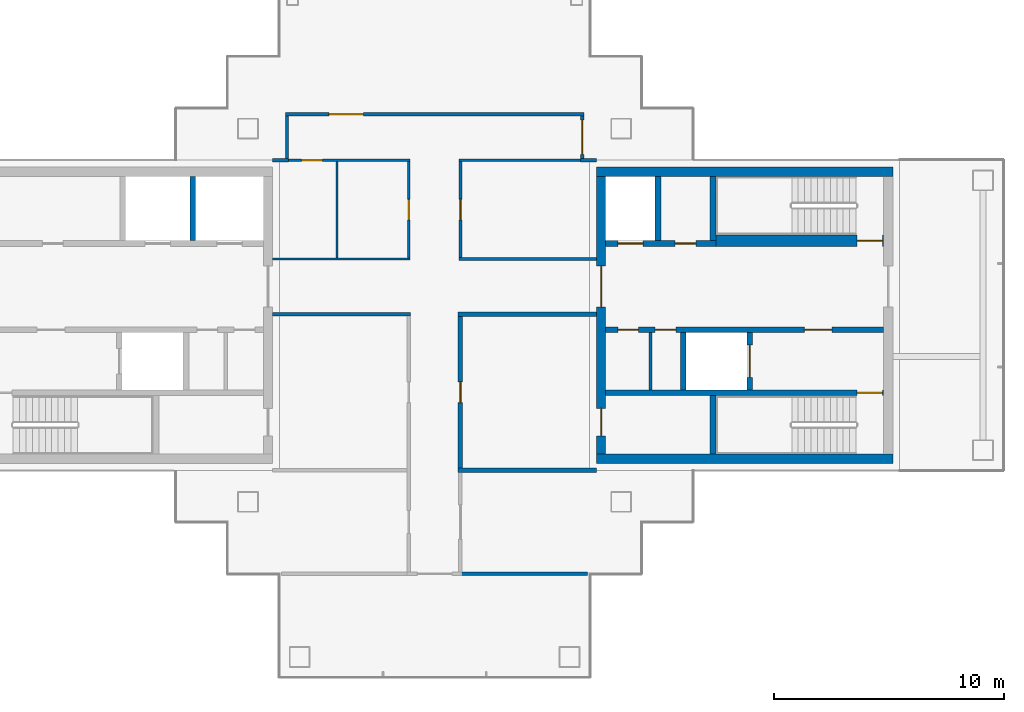
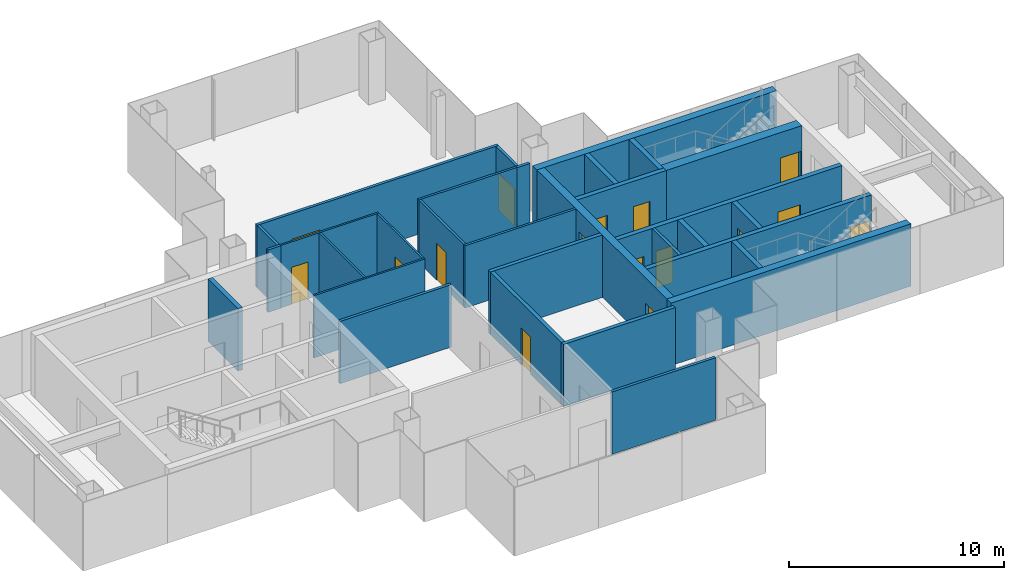
# One storey, part 12 of 16: 31 walls, 16 doors, 16 openings.
"""IFC4 building model written with IfcOpenShell, lengths in metres."""

from ifc_helpers import new_model, si_unit, direction, frame, frame_2d, origin, place, context, subcontext, project, spatial, rectangle, extrude, material, layer, layer_set, type_object, element, fill, save


model = new_model("IFC4")

# Units and contexts
model_context = context("Model", 3, precision=1e-05, world=origin(), true_north=direction((0.0, 1.0)))
body_context = subcontext(model_context, "Body", "Model", "MODEL_VIEW")
ifc_project = project(units=[si_unit("LENGTHUNIT", "METRE"), si_unit("AREAUNIT", "SQUARE_METRE"), si_unit("VOLUMEUNIT", "CUBIC_METRE"), si_unit("PLANEANGLEUNIT", "RADIAN"), si_unit("MASSUNIT", "GRAM", prefix="KILO")], contexts=[model_context])

# Site, building, storey
site_placement = place(None, origin())
site = spatial("IfcSite", under=ifc_project, at=site_placement, CompositionType="ELEMENT")
building_placement = place(site_placement, origin())
building = spatial("IfcBuilding", under=site, at=building_placement, Name="Shamsa Quay Exchange Towers", CompositionType="ELEMENT")
storey_placement = place(building_placement, frame((0.0, 0.0, 265.5)))
storey = spatial("IfcBuildingStorey", under=building, at=storey_placement, Name="L64", CompositionType="ELEMENT", Elevation=265.5)

# Walls
ifc_material_1 = material(Name="Concrete C60/75", Category="concrete")
ifc_layer_1 = layer(ifc_material_1, 0.39990234375)
ifc_layer_set_1 = layer_set([ifc_layer_1], Name="CORE WALL 400 C60/75")
wall_type_1 = type_object("IfcWallType", Name="CORE WALL 400 C60/75", PredefinedType="SHEAR", material=ifc_layer_set_1)
for number, where, z_axis, x_axis, name in (
    (1, (53.699951171875, -6.25, 0.0), (0.0, 0.0, 1.0), (-1.0, 0.0, 0.0), "Core wall T2B-R29-PS"),
    (2, (53.699951171875, 6.25, 0.0), (0.0, 0.0, 1.0), (-1.0, 0.0, 0.0), "Core wall T2B-R29-PN"),
):
    element("IfcWall", number, at=place(storey_placement, frame(where, z_axis=z_axis, x_axis=x_axis)), inside=storey, type_object=wall_type_1, Name=name, PredefinedType="SHEAR", context=body_context, shape_type="SweptSolid", body=[
        extrude(rectangle(XDim=12.89990234375, YDim=0.39990234375, at=frame_2d((6.449951171875, 0.0))), origin(), (0.0, 0.0, 1.0), 3.550048828125),
    ])

# Wall, openings, doors
wall_1_placement = place(storey_placement, frame((41.0, -6.050048828125, 0.0), z_axis=(0.0, 0.0, 1.0), x_axis=(0.0, 1.0, 0.0)))
wall_1 = element("IfcWall", 3, at=wall_1_placement, inside=storey, type_object=wall_type_1, Name="Core wall T2B-R29-PB", PredefinedType="SHEAR", context=body_context, shape_type="SweptSolid", body=[
    extrude(rectangle(XDim=12.10009765625, YDim=0.39990234375, at=frame_2d((6.050048828125, 0.0))), origin(), (0.0, 0.0, 1.0), 3.550048828125),
])
opening_1_placement = place(wall_1_placement, frame((0.800048828125, 0.0, 0.0)))
opening_1 = element("IfcOpeningElement", 4, at=opening_1_placement, cuts=wall_1, Name="Opening T2B-R29-RD02", PredefinedType="OPENING", context=body_context, shape_type="SweptSolid", body=[
    extrude(rectangle(XDim=1.199951171875, YDim=2.10009765625, at=frame_2d((0.60009765625, 1.050048828125))), frame((0.0, 0.2099609375, 0.0), z_axis=(0.0, -1.0, 0.0), x_axis=(1.0, 0.0, 0.0)), (0.0, 0.0, 1.0), 0.419921875),
])
opening_2_placement = place(wall_1_placement, frame((6.39990234375, 0.0, 0.0)))
opening_2 = element("IfcOpeningElement", 5, at=opening_2_placement, cuts=wall_1, Name="Opening T2B-R29-LBD03", PredefinedType="OPENING", context=body_context, shape_type="SweptSolid", body=[
    extrude(rectangle(XDim=1.800048828125, YDim=2.39990234375, at=frame_2d((0.89990234375, 1.199951171875))), frame((0.0, 0.2099609375, 0.0), z_axis=(0.0, -1.0, 0.0), x_axis=(1.0, 0.0, 0.0)), (0.0, 0.0, 1.0), 0.419921875),
])
ifc_material_2 = material(Name="Steel, fire rated", Category="steel")
door_type_1 = type_object("IfcDoorType", Name="LIFT LOBBY DOOR PAIR 1800", OperationType="DOUBLE_DOOR_SINGLE_SWING", PredefinedType="DOOR", material=ifc_material_2)
door_1_placement = place(opening_2_placement, origin())
door_1 = element("IfcDoor", 6, at=door_1_placement, inside=storey, type_object=door_type_1, Name="T2B-R29-LBD03", OperationType="DOUBLE_DOOR_SINGLE_SWING", OverallHeight=2.39990234375, OverallWidth=1.800048828125, PredefinedType="DOOR", context=body_context, shape_type="SweptSolid", body=[
    extrude(rectangle(XDim=1.800048828125, YDim=2.39990234375, at=frame_2d((0.89990234375, 1.199951171875))), frame((0.0, 0.02490234375, 0.0), z_axis=(0.0, -1.0, 0.0), x_axis=(1.0, 0.0, 0.0)), (0.0, 0.0, 1.0), 0.050048828125),
])
fill(opening_2, door_1)
door_type_2 = type_object("IfcDoorType", Name="RISER ACCESS DOOR 1200", OperationType="SINGLE_SWING_LEFT", PredefinedType="DOOR", material=ifc_material_2)
door_2_placement = place(opening_1_placement, origin())
door_2 = element("IfcDoor", 7, at=door_2_placement, inside=storey, type_object=door_type_2, Name="T2B-R29-RD02", OperationType="SINGLE_SWING_LEFT", OverallHeight=2.10009765625, OverallWidth=1.199951171875, PredefinedType="DOOR", context=body_context, shape_type="SweptSolid", body=[
    extrude(rectangle(XDim=1.199951171875, YDim=2.10009765625, at=frame_2d((0.60009765625, 1.050048828125))), frame((0.0, 0.02490234375, 0.0), z_axis=(0.0, -1.0, 0.0), x_axis=(1.0, 0.0, 0.0)), (0.0, 0.0, 1.0), 0.050048828125),
])
fill(opening_1, door_2)

# Walls
ifc_material_3 = material(Name="Gypsum board on steel studs, EI 60", Category="steel")
ifc_layer_2 = layer(ifc_material_3, 0.14990234375)
ifc_layer_set_2 = layer_set([ifc_layer_2], Name="FIRE PARTITION 150")
wall_type_2 = type_object("IfcWallType", Name="FIRE PARTITION 150", PredefinedType="PARTITIONING", material=ifc_layer_set_2)
wall_2_placement = place(storey_placement, frame((43.14990234375, -3.25, 0.0), z_axis=(0.0, 0.0, 1.0), x_axis=(0.0, 1.0, 0.0)))
element("IfcWall", 8, at=wall_2_placement, inside=storey, type_object=wall_type_2, Name="Partition T2B-R29-EC0", PredefinedType="PARTITIONING", context=body_context, shape_type="SweptSolid", body=[
    extrude(rectangle(XDim=2.5, YDim=0.14990234375, at=frame_2d((1.25, 0.0))), origin(), (0.0, 0.0, 1.0), 3.550048828125),
])
ifc_material_4 = material(Name="Laminated fire-resisting glass in a metal frame", Category="glass")
ifc_layer_3 = layer(ifc_material_4, 0.125)
ifc_layer_set_3 = layer_set([ifc_layer_3], Name="Glazed partition 125 mm EI 60")
wall_type_3 = type_object("IfcWallType", Name="Glazed partition 125 mm EI 60", PredefinedType="PARTITIONING", material=ifc_layer_set_3)
wall_3_placement = place(storey_placement, frame((34.8125, 2.4501953125, 0.0)))
element("IfcWall", 9, at=wall_3_placement, inside=storey, type_object=wall_type_3, Name="Partition T2-R29-W06", PredefinedType="PARTITIONING", context=body_context, shape_type="SweptSolid", body=[
    extrude(rectangle(XDim=5.987548828125, YDim=0.125, at=frame_2d((2.99365234375, 0.0))), origin(), (0.0, 0.0, 1.0), 3.550048828125),
])

# Wall, opening, door
wall_4_placement = place(storey_placement, frame((34.875, 6.6875, 0.0), z_axis=(0.0, 0.0, 1.0), x_axis=(0.0, -1.0, 0.0)))
wall_4 = element("IfcWall", 10, at=wall_4_placement, inside=storey, type_object=wall_type_3, Name="Partition T2-R29-W07", PredefinedType="PARTITIONING", context=body_context, shape_type="SweptSolid", body=[
    extrude(rectangle(XDim=4.1748046875, YDim=0.125, at=frame_2d((2.08740234375, 0.0))), origin(), (0.0, 0.0, 1.0), 3.550048828125),
])
opening_3_placement = place(wall_4_placement, frame((1.637451171875, 0.0, 0.0)))
opening_3 = element("IfcOpeningElement", 11, at=opening_3_placement, cuts=wall_4, Name="Opening T2-R29-D04", PredefinedType="OPENING", context=body_context, shape_type="SweptSolid", body=[
    extrude(rectangle(XDim=0.89990234375, YDim=2.10009765625, at=frame_2d((0.449951171875, 1.050048828125))), frame((0.0, 0.072509765625, 0.0), z_axis=(0.0, -1.0, 0.0), x_axis=(1.0, 0.0, 0.0)), (0.0, 0.0, 1.0), 0.14501953125),
])
ifc_material_5 = material(Name="Timber door leaf in a metal frame", Category="wood")
door_type_3 = type_object("IfcDoorType", Name="Door 900x2100 FD30S", OperationType="NOTDEFINED", PredefinedType="DOOR", material=ifc_material_5)
door_3_placement = place(opening_3_placement, origin())
door_3 = element("IfcDoor", 12, at=door_3_placement, inside=storey, type_object=door_type_3, Name="Door T2-R29-D04", OperationType="SINGLE_SWING_RIGHT", OverallHeight=2.10009765625, OverallWidth=0.89990234375, PredefinedType="DOOR", context=body_context, shape_type="SweptSolid", body=[
    extrude(rectangle(XDim=0.89990234375, YDim=2.10009765625, at=frame_2d((0.449951171875, 1.050048828125))), frame((0.0, 0.02490234375, 0.0), z_axis=(0.0, -1.0, 0.0), x_axis=(1.0, 0.0, 0.0)), (0.0, 0.0, 1.0), 0.050048828125),
])
fill(opening_3, door_3)

# Wall
wall_5_placement = place(storey_placement, frame((40.249755859375, 6.75, 0.0), z_axis=(0.0, 0.0, 1.0), x_axis=(-1.0, 0.0, 0.0)))
element("IfcWall", 13, at=wall_5_placement, inside=storey, type_object=wall_type_3, Name="Partition T2-R29-W08", PredefinedType="PARTITIONING", context=body_context, shape_type="SweptSolid", body=[
    extrude(rectangle(XDim=5.437255859375, YDim=0.125, at=frame_2d((2.71875, 0.0))), origin(), (0.0, 0.0, 1.0), 3.550048828125),
])

# Wall, opening, door
ifc_material_6 = material(Name="Gypsum board partition on metal studs")
ifc_layer_4 = layer(ifc_material_6, 0.10009765625)
ifc_layer_set_4 = layer_set([ifc_layer_4], Name="Partition 100 mm NOT RATED")
wall_type_4 = type_object("IfcWallType", Name="Partition 100 mm NOT RATED", PredefinedType="PARTITIONING", material=ifc_layer_set_4)
wall_6_placement = place(storey_placement, frame((32.675048828125, 6.75, 0.0), z_axis=(0.0, 0.0, 1.0), x_axis=(-1.0, 0.0, 0.0)))
wall_6 = element("IfcWall", 14, at=wall_6_placement, inside=storey, type_object=wall_type_4, Name="Partition T2-R29-W01", PredefinedType="PARTITIONING", context=body_context, shape_type="SweptSolid", body=[
    extrude(rectangle(XDim=5.4248046875, YDim=0.10009765625, at=frame_2d((2.71240234375, 0.0))), origin(), (0.0, 0.0, 1.0), 3.550048828125),
])
opening_4_placement = place(wall_6_placement, frame((3.8125, 0.0, 0.0)))
opening_4 = element("IfcOpeningElement", 15, at=opening_4_placement, cuts=wall_6, Name="Opening T2-R29-D09", PredefinedType="OPENING", context=body_context, shape_type="SweptSolid", body=[
    extrude(rectangle(XDim=0.89990234375, YDim=2.10009765625, at=frame_2d((0.449951171875, 1.050048828125))), frame((0.0, 0.06005859375, 0.0), z_axis=(0.0, -1.0, 0.0), x_axis=(1.0, 0.0, 0.0)), (0.0, 0.0, 1.0), 0.1201171875),
])
door_type_4 = type_object("IfcDoorType", Name="Door 900x2100 NOT RATED", OperationType="NOTDEFINED", PredefinedType="DOOR", material=ifc_material_5)
door_4_placement = place(opening_4_placement, origin())
door_4 = element("IfcDoor", 16, at=door_4_placement, inside=storey, type_object=door_type_4, Name="Door T2-R29-D09", OperationType="SINGLE_SWING_LEFT", OverallHeight=2.10009765625, OverallWidth=0.89990234375, PredefinedType="DOOR", context=body_context, shape_type="SweptSolid", body=[
    extrude(rectangle(XDim=0.89990234375, YDim=2.10009765625, at=frame_2d((0.449951171875, 1.050048828125))), frame((0.0, 0.02490234375, 0.0), z_axis=(0.0, -1.0, 0.0), x_axis=(1.0, 0.0, 0.0)), (0.0, 0.0, 1.0), 0.050048828125),
])
fill(opening_4, door_4)

wall_7_placement = place(storey_placement, frame((32.625, 2.500244140625, 0.0), z_axis=(0.0, 0.0, 1.0), x_axis=(0.0, 1.0, 0.0)))
wall_7 = element("IfcWall", 17, at=wall_7_placement, inside=storey, type_object=wall_type_4, Name="Partition T2-R29-W02", PredefinedType="PARTITIONING", context=body_context, shape_type="SweptSolid", body=[
    extrude(rectangle(XDim=4.19970703125, YDim=0.10009765625, at=frame_2d((2.099853515625, 0.0))), origin(), (0.0, 0.0, 1.0), 3.550048828125),
])
opening_5_placement = place(wall_7_placement, frame((1.64990234375, 0.0, 0.0)))
opening_5 = element("IfcOpeningElement", 18, at=opening_5_placement, cuts=wall_7, Name="Opening T2-R29-D08", PredefinedType="OPENING", context=body_context, shape_type="SweptSolid", body=[
    extrude(rectangle(XDim=0.89990234375, YDim=2.10009765625, at=frame_2d((0.449951171875, 1.050048828125))), frame((0.0, 0.06005859375, 0.0), z_axis=(0.0, -1.0, 0.0), x_axis=(1.0, 0.0, 0.0)), (0.0, 0.0, 1.0), 0.1201171875),
])
door_5_placement = place(opening_5_placement, origin())
door_5 = element("IfcDoor", 19, at=door_5_placement, inside=storey, type_object=door_type_4, Name="Door T2-R29-D08", OperationType="SINGLE_SWING_LEFT", OverallHeight=2.10009765625, OverallWidth=0.89990234375, PredefinedType="DOOR", context=body_context, shape_type="SweptSolid", body=[
    extrude(rectangle(XDim=0.89990234375, YDim=2.10009765625, at=frame_2d((0.449951171875, 1.050048828125))), frame((0.0, 0.02490234375, 0.0), z_axis=(0.0, -1.0, 0.0), x_axis=(1.0, 0.0, 0.0)), (0.0, 0.0, 1.0), 0.050048828125),
])
fill(opening_5, door_5)

# Walls
wall_8_placement = place(storey_placement, frame((26.699951171875, 2.4501953125, 0.0)))
element("IfcWall", 20, at=wall_8_placement, inside=storey, type_object=wall_type_4, Name="Partition T2-R29-W03", PredefinedType="PARTITIONING", context=body_context, shape_type="SweptSolid", body=[
    extrude(rectangle(XDim=5.97509765625, YDim=0.10009765625, at=frame_2d((2.987548828125, 0.0))), origin(), (0.0, 0.0, 1.0), 3.550048828125),
])
wall_9_placement = place(storey_placement, frame((29.5, 6.699951171875, 0.0), z_axis=(0.0, 0.0, 1.0), x_axis=(0.0, -1.0, 0.0)))
element("IfcWall", 21, at=wall_9_placement, inside=storey, type_object=wall_type_4, Name="Partition T2-R29-W16", PredefinedType="PARTITIONING", context=body_context, shape_type="SweptSolid", body=[
    extrude(rectangle(XDim=4.19970703125, YDim=0.10009765625, at=frame_2d((2.099853515625, 0.0))), origin(), (0.0, 0.0, 1.0), 3.550048828125),
])
ifc_layer_5 = layer(ifc_material_6, 0.14990234375)
ifc_layer_set_5 = layer_set([ifc_layer_5], Name="Partition 150 mm EI 60")
wall_type_5 = type_object("IfcWallType", Name="Partition 150 mm EI 60", PredefinedType="PARTITIONING", material=ifc_layer_set_5)
wall_10_placement = place(storey_placement, frame((32.699951171875, 0.0498046875, 0.0), z_axis=(0.0, 0.0, 1.0), x_axis=(-1.0, 0.0, 0.0)))
element("IfcWall", 22, at=wall_10_placement, inside=storey, type_object=wall_type_5, Name="Partition T2-R29-W04", PredefinedType="PARTITIONING", context=body_context, shape_type="SweptSolid", body=[
    extrude(rectangle(XDim=6.0, YDim=0.14990234375, at=frame_2d((3.0, 0.0))), origin(), (0.0, 0.0, 1.0), 3.550048828125),
])

# Wall, opening, door
wall_11_placement = place(storey_placement, frame((40.1748046875, 6.824951171875, 0.0), z_axis=(0.0, 0.0, 1.0), x_axis=(0.0, 1.0, 0.0)))
wall_11 = element("IfcWall", 23, at=wall_11_placement, inside=storey, type_object=wall_type_5, Name="Partition T2-R29-W11", PredefinedType="PARTITIONING", context=body_context, shape_type="SweptSolid", body=[
    extrude(rectangle(XDim=1.85009765625, YDim=0.14990234375, at=frame_2d((0.925048828125, 0.0))), origin(), (0.0, 0.0, 1.0), 3.550048828125),
])
opening_6_placement = place(wall_11_placement, frame((0.175048828125, 0.0, 0.0)))
opening_6 = element("IfcOpeningElement", 24, at=opening_6_placement, cuts=wall_11, Name="Opening T2-R29-D01", PredefinedType="OPENING", context=body_context, shape_type="SweptSolid", body=[
    extrude(rectangle(XDim=1.5, YDim=2.10009765625, at=frame_2d((0.75, 1.050048828125))), frame((0.0, 0.0849609375, 0.0), z_axis=(0.0, -1.0, 0.0), x_axis=(1.0, 0.0, 0.0)), (0.0, 0.0, 1.0), 0.169921875),
])
door_type_5 = type_object("IfcDoorType", Name="Door 1500x2100 FD30S pair", OperationType="NOTDEFINED", PredefinedType="DOOR", material=ifc_material_5)
door_6_placement = place(opening_6_placement, origin())
door_6 = element("IfcDoor", 25, at=door_6_placement, inside=storey, type_object=door_type_5, Name="Door T2-R29-D01", OperationType="DOUBLE_DOOR_SINGLE_SWING", OverallHeight=2.10009765625, OverallWidth=1.5, PredefinedType="DOOR", context=body_context, shape_type="SweptSolid", body=[
    extrude(rectangle(XDim=1.5, YDim=2.10009765625, at=frame_2d((0.75, 1.050048828125))), frame((0.0, 0.02490234375, 0.0), z_axis=(0.0, -1.0, 0.0), x_axis=(1.0, 0.0, 0.0)), (0.0, 0.0, 1.0), 0.050048828125),
])
fill(opening_6, door_6)

wall_12_placement = place(storey_placement, frame((40.249755859375, 8.75, 0.0), z_axis=(0.0, 0.0, 1.0), x_axis=(-1.0, 0.0, 0.0)))
wall_12 = element("IfcWall", 26, at=wall_12_placement, inside=storey, type_object=wall_type_5, Name="Partition T2-R29-W12", PredefinedType="PARTITIONING", context=body_context, shape_type="SweptSolid", body=[
    extrude(rectangle(XDim=12.99951171875, YDim=0.14990234375, at=frame_2d((6.499755859375, 0.0))), origin(), (0.0, 0.0, 1.0), 3.550048828125),
])
opening_7_placement = place(wall_12_placement, frame((9.604736328125, 0.0, 0.0)))
opening_7 = element("IfcOpeningElement", 27, at=opening_7_placement, cuts=wall_12, Name="Opening T2-R29-D10", PredefinedType="OPENING", context=body_context, shape_type="SweptSolid", body=[
    extrude(rectangle(XDim=1.5, YDim=2.10009765625, at=frame_2d((0.75, 1.050048828125))), frame((0.0, 0.0849609375, 0.0), z_axis=(0.0, -1.0, 0.0), x_axis=(1.0, 0.0, 0.0)), (0.0, 0.0, 1.0), 0.169921875),
])
door_7_placement = place(opening_7_placement, origin())
door_7 = element("IfcDoor", 28, at=door_7_placement, inside=storey, type_object=door_type_5, Name="Door T2-R29-D10", OperationType="DOUBLE_DOOR_SINGLE_SWING", OverallHeight=2.10009765625, OverallWidth=1.5, PredefinedType="DOOR", context=body_context, shape_type="SweptSolid", body=[
    extrude(rectangle(XDim=1.5, YDim=2.10009765625, at=frame_2d((0.75, 1.050048828125))), frame((0.0, 0.02490234375, 0.0), z_axis=(0.0, -1.0, 0.0), x_axis=(1.0, 0.0, 0.0)), (0.0, 0.0, 1.0), 0.050048828125),
])
fill(opening_7, door_7)

# Walls
wall_13_placement = place(storey_placement, frame((27.3251953125, 8.675048828125, 0.0), z_axis=(0.0, 0.0, 1.0), x_axis=(0.0, -1.0, 0.0)))
element("IfcWall", 29, at=wall_13_placement, inside=storey, type_object=wall_type_5, Name="Partition T2-R29-W13", PredefinedType="PARTITIONING", context=body_context, shape_type="SweptSolid", body=[
    extrude(rectangle(XDim=1.85009765625, YDim=0.14990234375, at=frame_2d((0.925048828125, 0.0))), origin(), (0.0, 0.0, 1.0), 3.550048828125),
])
for number, where, z_axis, x_axis, name in (
    (30, (27.400146484375, 6.75, 0.0), (0.0, 0.0, 1.0), (-1.0, 0.0, 0.0), "Partition T2-R29-W17"),
    (31, (40.800048828125, 6.75, 0.0), (0.0, 0.0, 1.0), (-1.0, 0.0, 0.0), "Partition T2-R29-W18"),
):
    element("IfcWall", number, at=place(storey_placement, frame(where, z_axis=z_axis, x_axis=x_axis)), inside=storey, type_object=wall_type_5, Name=name, PredefinedType="PARTITIONING", context=body_context, shape_type="SweptSolid", body=[
        extrude(rectangle(XDim=0.7001953125, YDim=0.14990234375, at=frame_2d((0.35009765625, 0.0))), origin(), (0.0, 0.0, 1.0), 3.550048828125),
    ])
wall_14_placement = place(storey_placement, frame((34.800048828125, -11.25, 0.0)))
element("IfcWall", 32, at=wall_14_placement, inside=storey, type_object=wall_type_5, Name="Partition T2-R29-W21", PredefinedType="PARTITIONING", context=body_context, shape_type="SweptSolid", body=[
    extrude(rectangle(XDim=5.60498046875, YDim=0.14990234375, at=frame_2d((2.802490234375, 0.0))), origin(), (0.0, 0.0, 1.0), 3.550048828125),
])

# Wall, opening, door
ifc_layer_6 = layer(ifc_material_6, 0.199951171875)
ifc_layer_set_6 = layer_set([ifc_layer_6], Name="Partition 200 mm EI 120")
wall_type_6 = type_object("IfcWallType", Name="Partition 200 mm EI 120", PredefinedType="PARTITIONING", material=ifc_layer_set_6)
wall_15_placement = place(storey_placement, frame((34.875, -0.05029296875, 0.0), z_axis=(0.0, 0.0, 1.0), x_axis=(0.0, -1.0, 0.0)))
wall_15 = element("IfcWall", 33, at=wall_15_placement, inside=storey, type_object=wall_type_6, Name="Partition T2-R29-W09", PredefinedType="PARTITIONING", context=body_context, shape_type="SweptSolid", body=[
    extrude(rectangle(XDim=6.599609375, YDim=0.199951171875, at=frame_2d((3.2998046875, 0.0))), origin(), (0.0, 0.0, 1.0), 3.550048828125),
])
opening_8_placement = place(wall_15_placement, frame((2.849853515625, 0.0, 0.0)))
opening_8 = element("IfcOpeningElement", 34, at=opening_8_placement, cuts=wall_15, Name="Opening T2-R29-D03", PredefinedType="OPENING", context=body_context, shape_type="SweptSolid", body=[
    extrude(rectangle(XDim=0.89990234375, YDim=2.10009765625, at=frame_2d((0.449951171875, 1.050048828125))), frame((0.0, 0.10986328125, 0.0), z_axis=(0.0, -1.0, 0.0), x_axis=(1.0, 0.0, 0.0)), (0.0, 0.0, 1.0), 0.219970703125),
])
door_type_6 = type_object("IfcDoorType", Name="Door 900x2100 FD60", OperationType="NOTDEFINED", PredefinedType="DOOR", material=ifc_material_5)
door_8_placement = place(opening_8_placement, origin())
door_8 = element("IfcDoor", 35, at=door_8_placement, inside=storey, type_object=door_type_6, Name="Door T2-R29-D03", OperationType="SINGLE_SWING_LEFT", OverallHeight=2.10009765625, OverallWidth=0.89990234375, PredefinedType="DOOR", context=body_context, shape_type="SweptSolid", body=[
    extrude(rectangle(XDim=0.89990234375, YDim=2.10009765625, at=frame_2d((0.449951171875, 1.050048828125))), frame((0.0, 0.02490234375, 0.0), z_axis=(0.0, -1.0, 0.0), x_axis=(1.0, 0.0, 0.0)), (0.0, 0.0, 1.0), 0.050048828125),
])
fill(opening_8, door_8)

# Walls
wall_16_placement = place(storey_placement, frame((40.800048828125, 0.0498046875, 0.0), z_axis=(0.0, 0.0, 1.0), x_axis=(-1.0, 0.0, 0.0)))
element("IfcWall", 36, at=wall_16_placement, inside=storey, type_object=wall_type_6, Name="Partition T2-R29-W10", PredefinedType="PARTITIONING", context=body_context, shape_type="SweptSolid", body=[
    extrude(rectangle(XDim=6.025146484375, YDim=0.199951171875, at=frame_2d((3.0126953125, 0.0))), origin(), (0.0, 0.0, 1.0), 3.550048828125),
])
wall_17_placement = place(storey_placement, frame((34.77490234375, -6.75, 0.0)))
element("IfcWall", 37, at=wall_17_placement, inside=storey, type_object=wall_type_6, Name="Partition T2-R29-W20", PredefinedType="PARTITIONING", context=body_context, shape_type="SweptSolid", body=[
    extrude(rectangle(XDim=6.025146484375, YDim=0.199951171875, at=frame_2d((3.0126953125, 0.0))), origin(), (0.0, 0.0, 1.0), 3.550048828125),
])
ifc_material_7 = material(Name="Concrete C50/60", Category="concrete")
ifc_layer_7 = layer(ifc_material_7, 0.25)
ifc_layer_set_7 = layer_set([ifc_layer_7], Name="SHAFT WALL 250 C50/60")
wall_type_7 = type_object("IfcWallType", Name="SHAFT WALL 250 C50/60", PredefinedType="SHEAR", material=ifc_layer_set_7)
wall_18_placement = place(storey_placement, frame((23.22509765625, 3.25, 0.0), z_axis=(0.0, 0.0, 1.0), x_axis=(0.0, 1.0, 0.0)))
element("IfcWall", 38, at=wall_18_placement, inside=storey, type_object=wall_type_7, Name="Shaft wall T2A-R29-D2", PredefinedType="SHEAR", context=body_context, shape_type="SweptSolid", body=[
    extrude(rectangle(XDim=2.800048828125, YDim=0.25, at=frame_2d((1.39990234375, 0.0))), origin(), (0.0, 0.0, 1.0), 3.550048828125),
])

# Wall, opening, door
wall_19_placement = place(storey_placement, frame((53.300048828125, -3.375, 0.0), z_axis=(0.0, 0.0, 1.0), x_axis=(-1.0, 0.0, 0.0)))
wall_19 = element("IfcWall", 39, at=wall_19_placement, inside=storey, type_object=wall_type_7, Name="Shaft wall T2B-R29-STL", PredefinedType="SHEAR", context=body_context, shape_type="SweptSolid", body=[
    extrude(rectangle(XDim=12.10009765625, YDim=0.25, at=frame_2d((6.050048828125, 0.0))), origin(), (0.0, 0.0, 1.0), 3.550048828125),
])
opening_9_placement = place(wall_19_placement, frame((0.050048828125, 0.0, 0.0)))
opening_9 = element("IfcOpeningElement", 40, at=opening_9_placement, cuts=wall_19, Name="Opening T2B-R29-SD04", PredefinedType="OPENING", context=body_context, shape_type="SweptSolid", body=[
    extrude(rectangle(XDim=1.10009765625, YDim=2.10009765625, at=frame_2d((0.550048828125, 1.050048828125))), frame((0.0, 0.135009765625, 0.0), z_axis=(0.0, -1.0, 0.0), x_axis=(1.0, 0.0, 0.0)), (0.0, 0.0, 1.0), 0.27001953125),
])
door_type_7 = type_object("IfcDoorType", Name="STAIR DOOR 1100", OperationType="SINGLE_SWING_LEFT", PredefinedType="DOOR", material=ifc_material_2)
door_9_placement = place(opening_9_placement, origin())
door_9 = element("IfcDoor", 41, at=door_9_placement, inside=storey, type_object=door_type_7, Name="T2B-R29-SD04", OperationType="SINGLE_SWING_LEFT", OverallHeight=2.10009765625, OverallWidth=1.10009765625, PredefinedType="DOOR", context=body_context, shape_type="SweptSolid", body=[
    extrude(rectangle(XDim=1.10009765625, YDim=2.10009765625, at=frame_2d((0.550048828125, 1.050048828125))), frame((0.0, 0.02490234375, 0.0), z_axis=(0.0, -1.0, 0.0), x_axis=(1.0, 0.0, 0.0)), (0.0, 0.0, 1.0), 0.050048828125),
])
fill(opening_9, door_9)

# Wall
wall_20_placement = place(storey_placement, frame((45.875, -6.050048828125, 0.0), z_axis=(0.0, 0.0, 1.0), x_axis=(0.0, 1.0, 0.0)))
element("IfcWall", 42, at=wall_20_placement, inside=storey, type_object=wall_type_7, Name="Shaft wall T2B-R29-STF", PredefinedType="SHEAR", context=body_context, shape_type="SweptSolid", body=[
    extrude(rectangle(XDim=2.550048828125, YDim=0.25, at=frame_2d((1.27490234375, 0.0))), origin(), (0.0, 0.0, 1.0), 3.550048828125),
])

# Wall, openings, doors
wall_21_placement = place(storey_placement, frame((53.300048828125, -0.625, 0.0), z_axis=(0.0, 0.0, 1.0), x_axis=(-1.0, 0.0, 0.0)))
wall_21 = element("IfcWall", 43, at=wall_21_placement, inside=storey, type_object=wall_type_7, Name="Shaft wall T2B-R29-B", PredefinedType="SHEAR", context=body_context, shape_type="SweptSolid", body=[
    extrude(rectangle(XDim=12.10009765625, YDim=0.25, at=frame_2d((6.050048828125, 0.0))), origin(), (0.0, 0.0, 1.0), 3.550048828125),
])
opening_10_placement = place(wall_21_placement, frame((2.25, 0.0, 0.0)))
opening_10 = element("IfcOpeningElement", 44, at=opening_10_placement, cuts=wall_21, Name="Opening T2B-R29-FD05", PredefinedType="OPENING", context=body_context, shape_type="SweptSolid", body=[
    extrude(rectangle(XDim=1.199951171875, YDim=2.10009765625, at=frame_2d((0.60009765625, 1.050048828125))), frame((0.0, 0.135009765625, 0.0), z_axis=(0.0, -1.0, 0.0), x_axis=(1.0, 0.0, 0.0)), (0.0, 0.0, 1.0), 0.27001953125),
])
opening_11_placement = place(wall_21_placement, frame((9.050048828125, 0.0, 0.0)))
opening_11 = element("IfcOpeningElement", 45, at=opening_11_placement, cuts=wall_21, Name="Opening T2B-R29-SV06", PredefinedType="OPENING", context=body_context, shape_type="SweptSolid", body=[
    extrude(rectangle(XDim=0.89990234375, YDim=2.10009765625, at=frame_2d((0.449951171875, 1.050048828125))), frame((0.0, 0.135009765625, 0.0), z_axis=(0.0, -1.0, 0.0), x_axis=(1.0, 0.0, 0.0)), (0.0, 0.0, 1.0), 0.27001953125),
])
opening_12_placement = place(wall_21_placement, frame((10.675048828125, 0.0, 0.0)))
opening_12 = element("IfcOpeningElement", 46, at=opening_12_placement, cuts=wall_21, Name="Opening T2B-R29-SV07", PredefinedType="OPENING", context=body_context, shape_type="SweptSolid", body=[
    extrude(rectangle(XDim=0.89990234375, YDim=2.10009765625, at=frame_2d((0.449951171875, 1.050048828125))), frame((0.0, 0.135009765625, 0.0), z_axis=(0.0, -1.0, 0.0), x_axis=(1.0, 0.0, 0.0)), (0.0, 0.0, 1.0), 0.27001953125),
])
door_type_8 = type_object("IfcDoorType", Name="FIRE SERVICE LOBBY DOOR 1200", OperationType="SINGLE_SWING_LEFT", PredefinedType="DOOR", material=ifc_material_2)
door_10_placement = place(opening_10_placement, origin())
door_10 = element("IfcDoor", 47, at=door_10_placement, inside=storey, type_object=door_type_8, Name="T2B-R29-FD05", OperationType="SINGLE_SWING_LEFT", OverallHeight=2.10009765625, OverallWidth=1.199951171875, PredefinedType="DOOR", context=body_context, shape_type="SweptSolid", body=[
    extrude(rectangle(XDim=1.199951171875, YDim=2.10009765625, at=frame_2d((0.60009765625, 1.050048828125))), frame((0.0, 0.02490234375, 0.0), z_axis=(0.0, -1.0, 0.0), x_axis=(1.0, 0.0, 0.0)), (0.0, 0.0, 1.0), 0.050048828125),
])
fill(opening_10, door_10)
door_type_9 = type_object("IfcDoorType", Name="SERVICE ROOM DOOR 900", OperationType="SINGLE_SWING_LEFT", PredefinedType="DOOR", material=ifc_material_2)
door_11_placement = place(opening_11_placement, origin())
door_11 = element("IfcDoor", 48, at=door_11_placement, inside=storey, type_object=door_type_9, Name="T2B-R29-SV06", OperationType="SINGLE_SWING_RIGHT", OverallHeight=2.10009765625, OverallWidth=0.89990234375, PredefinedType="DOOR", context=body_context, shape_type="SweptSolid", body=[
    extrude(rectangle(XDim=0.89990234375, YDim=2.10009765625, at=frame_2d((0.449951171875, 1.050048828125))), frame((0.0, 0.02490234375, 0.0), z_axis=(0.0, -1.0, 0.0), x_axis=(1.0, 0.0, 0.0)), (0.0, 0.0, 1.0), 0.050048828125),
])
fill(opening_11, door_11)
door_12_placement = place(opening_12_placement, origin())
door_12 = element("IfcDoor", 49, at=door_12_placement, inside=storey, type_object=door_type_9, Name="T2B-R29-SV07", OperationType="SINGLE_SWING_RIGHT", OverallHeight=2.10009765625, OverallWidth=0.89990234375, PredefinedType="DOOR", context=body_context, shape_type="SweptSolid", body=[
    extrude(rectangle(XDim=0.89990234375, YDim=2.10009765625, at=frame_2d((0.449951171875, 1.050048828125))), frame((0.0, 0.02490234375, 0.0), z_axis=(0.0, -1.0, 0.0), x_axis=(1.0, 0.0, 0.0)), (0.0, 0.0, 1.0), 0.050048828125),
])
fill(opening_12, door_12)

# Wall, opening, door
wall_22_placement = place(storey_placement, frame((47.47509765625, -3.25, 0.0), z_axis=(0.0, 0.0, 1.0), x_axis=(0.0, 1.0, 0.0)))
wall_22 = element("IfcWall", 50, at=wall_22_placement, inside=storey, type_object=wall_type_7, Name="Shaft wall T2B-R29-FFF", PredefinedType="SHEAR", context=body_context, shape_type="SweptSolid", body=[
    extrude(rectangle(XDim=2.5, YDim=0.25, at=frame_2d((1.25, 0.0))), origin(), (0.0, 0.0, 1.0), 3.550048828125),
])
opening_13_placement = place(wall_22_placement, frame((0.550048828125, 0.0, 0.0)))
opening_13 = element("IfcOpeningElement", 51, at=opening_13_placement, cuts=wall_22, Name="Opening T2B-R29-LDG08", PredefinedType="OPENING", context=body_context, shape_type="SweptSolid", body=[
    extrude(rectangle(XDim=1.39990234375, YDim=2.39990234375, at=frame_2d((0.699951171875, 1.199951171875))), frame((0.0, 0.135009765625, 0.0), z_axis=(0.0, -1.0, 0.0), x_axis=(1.0, 0.0, 0.0)), (0.0, 0.0, 1.0), 0.27001953125),
])
door_type_10 = type_object("IfcDoorType", Name="GOODS LIFT LANDING DOOR 1400", OperationType="SLIDING_TO_LEFT", PredefinedType="DOOR", material=ifc_material_2)
door_13_placement = place(opening_13_placement, origin())
door_13 = element("IfcDoor", 52, at=door_13_placement, inside=storey, type_object=door_type_10, Name="T2B-R29-LDG08", OperationType="SLIDING_TO_LEFT", OverallHeight=2.39990234375, OverallWidth=1.39990234375, PredefinedType="DOOR", context=body_context, shape_type="SweptSolid", body=[
    extrude(rectangle(XDim=1.39990234375, YDim=2.39990234375, at=frame_2d((0.699951171875, 1.199951171875))), frame((0.0, 0.02490234375, 0.0), z_axis=(0.0, -1.0, 0.0), x_axis=(1.0, 0.0, 0.0)), (0.0, 0.0, 1.0), 0.050048828125),
])
fill(opening_13, door_13)

# Wall
wall_23_placement = place(storey_placement, frame((44.574951171875, -3.25, 0.0), z_axis=(0.0, 0.0, 1.0), x_axis=(0.0, 1.0, 0.0)))
element("IfcWall", 53, at=wall_23_placement, inside=storey, type_object=wall_type_7, Name="Shaft wall T2B-R29-FFB", PredefinedType="SHEAR", context=body_context, shape_type="SweptSolid", body=[
    extrude(rectangle(XDim=2.5, YDim=0.25, at=frame_2d((1.25, 0.0))), origin(), (0.0, 0.0, 1.0), 3.550048828125),
])

# Wall, openings, doors
wall_24_placement = place(storey_placement, frame((41.199951171875, 3.125, 0.0)))
wall_24 = element("IfcWall", 54, at=wall_24_placement, inside=storey, type_object=wall_type_7, Name="Shaft wall T2B-R29-N2", PredefinedType="SHEAR", context=body_context, shape_type="SweptSolid", body=[
    extrude(rectangle(XDim=4.800048828125, YDim=0.25, at=frame_2d((2.39990234375, 0.0))), origin(), (0.0, 0.0, 1.0), 3.550048828125),
])
opening_14_placement = place(wall_24_placement, frame((0.52490234375, 0.0, 0.0)))
opening_14 = element("IfcOpeningElement", 55, at=opening_14_placement, cuts=wall_24, Name="Opening T2B-R29-LD10", PredefinedType="OPENING", context=body_context, shape_type="SweptSolid", body=[
    extrude(rectangle(XDim=1.10009765625, YDim=2.10009765625, at=frame_2d((0.550048828125, 1.050048828125))), frame((0.0, 0.135009765625, 0.0), z_axis=(0.0, -1.0, 0.0), x_axis=(1.0, 0.0, 0.0)), (0.0, 0.0, 1.0), 0.27001953125),
])
opening_15_placement = place(wall_24_placement, frame((3.02490234375, 0.0, 0.0)))
opening_15 = element("IfcOpeningElement", 56, at=opening_15_placement, cuts=wall_24, Name="Opening T2B-R29-SV11", PredefinedType="OPENING", context=body_context, shape_type="SweptSolid", body=[
    extrude(rectangle(XDim=0.89990234375, YDim=2.10009765625, at=frame_2d((0.449951171875, 1.050048828125))), frame((0.0, 0.135009765625, 0.0), z_axis=(0.0, -1.0, 0.0), x_axis=(1.0, 0.0, 0.0)), (0.0, 0.0, 1.0), 0.27001953125),
])
door_type_11 = type_object("IfcDoorType", Name="LANDING DOOR 1100", OperationType="SLIDING_TO_LEFT", PredefinedType="DOOR", material=ifc_material_2)
door_14_placement = place(opening_14_placement, origin())
door_14 = element("IfcDoor", 57, at=door_14_placement, inside=storey, type_object=door_type_11, Name="T2B-R29-LD10", OperationType="SLIDING_TO_LEFT", OverallHeight=2.10009765625, OverallWidth=1.10009765625, PredefinedType="DOOR", context=body_context, shape_type="SweptSolid", body=[
    extrude(rectangle(XDim=1.10009765625, YDim=2.10009765625, at=frame_2d((0.550048828125, 1.050048828125))), frame((0.0, 0.02490234375, 0.0), z_axis=(0.0, -1.0, 0.0), x_axis=(1.0, 0.0, 0.0)), (0.0, 0.0, 1.0), 0.050048828125),
])
fill(opening_14, door_14)
door_15_placement = place(opening_15_placement, origin())
door_15 = element("IfcDoor", 58, at=door_15_placement, inside=storey, type_object=door_type_9, Name="T2B-R29-SV11", OperationType="SINGLE_SWING_RIGHT", OverallHeight=2.10009765625, OverallWidth=0.89990234375, PredefinedType="DOOR", context=body_context, shape_type="SweptSolid", body=[
    extrude(rectangle(XDim=0.89990234375, YDim=2.10009765625, at=frame_2d((0.449951171875, 1.050048828125))), frame((0.0, 0.02490234375, 0.0), z_axis=(0.0, -1.0, 0.0), x_axis=(1.0, 0.0, 0.0)), (0.0, 0.0, 1.0), 0.050048828125),
])
fill(opening_15, door_15)

# Walls
for number, where, z_axis, x_axis, name in (
    (59, (45.875, 3.25, 0.0), (0.0, 0.0, 1.0), (0.0, 1.0, 0.0), "Shaft wall T2B-R29-STF2"),
    (60, (43.47509765625, 3.25, 0.0), (0.0, 0.0, 1.0), (0.0, 1.0, 0.0), "Shaft wall T2B-R29-D0"),
):
    element("IfcWall", number, at=place(storey_placement, frame(where, z_axis=z_axis, x_axis=x_axis)), inside=storey, type_object=wall_type_7, Name=name, PredefinedType="SHEAR", context=body_context, shape_type="SweptSolid", body=[
        extrude(rectangle(XDim=2.800048828125, YDim=0.25, at=frame_2d((1.39990234375, 0.0))), origin(), (0.0, 0.0, 1.0), 3.550048828125),
    ])

# Wall, opening, door
ifc_layer_8 = layer(ifc_material_7, 0.5)
ifc_layer_set_8 = layer_set([ifc_layer_8], Name="SHAFT WALL 500 C50/60")
wall_type_8 = type_object("IfcWallType", Name="SHAFT WALL 500 C50/60", PredefinedType="SHEAR", material=ifc_layer_set_8)
wall_25_placement = place(storey_placement, frame((46.0, 3.25, 0.0)))
wall_25 = element("IfcWall", 61, at=wall_25_placement, inside=storey, type_object=wall_type_8, Name="Shaft wall T2B-R29-N", PredefinedType="SHEAR", context=body_context, shape_type="SweptSolid", body=[
    extrude(rectangle(XDim=7.300048828125, YDim=0.5, at=frame_2d((3.64990234375, 0.0))), origin(), (0.0, 0.0, 1.0), 3.550048828125),
])
opening_16_placement = place(wall_25_placement, frame((6.14990234375, 0.0, 0.0)))
opening_16 = element("IfcOpeningElement", 62, at=opening_16_placement, cuts=wall_25, Name="Opening T2B-R29-SD09", PredefinedType="OPENING", context=body_context, shape_type="SweptSolid", body=[
    extrude(rectangle(XDim=1.10009765625, YDim=2.10009765625, at=frame_2d((0.550048828125, 1.050048828125))), frame((0.0, 0.260009765625, 0.0), z_axis=(0.0, -1.0, 0.0), x_axis=(1.0, 0.0, 0.0)), (0.0, 0.0, 1.0), 0.52001953125),
])
door_16_placement = place(opening_16_placement, origin())
door_16 = element("IfcDoor", 63, at=door_16_placement, inside=storey, type_object=door_type_7, Name="T2B-R29-SD09", OperationType="SINGLE_SWING_RIGHT", OverallHeight=2.10009765625, OverallWidth=1.10009765625, PredefinedType="DOOR", context=body_context, shape_type="SweptSolid", body=[
    extrude(rectangle(XDim=1.10009765625, YDim=2.10009765625, at=frame_2d((0.550048828125, 1.050048828125))), frame((0.0, 0.02490234375, 0.0), z_axis=(0.0, -1.0, 0.0), x_axis=(1.0, 0.0, 0.0)), (0.0, 0.0, 1.0), 0.050048828125),
])
fill(opening_16, door_16)

save(model, "model.ifc")
